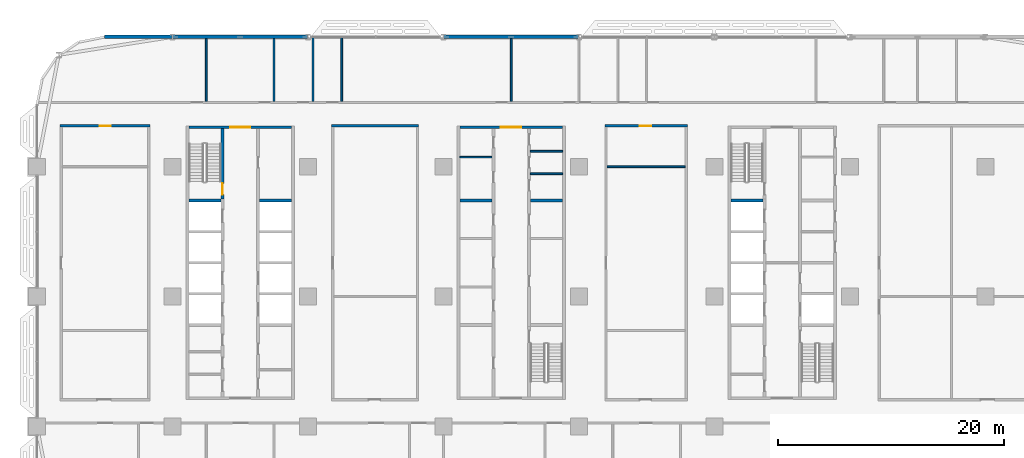
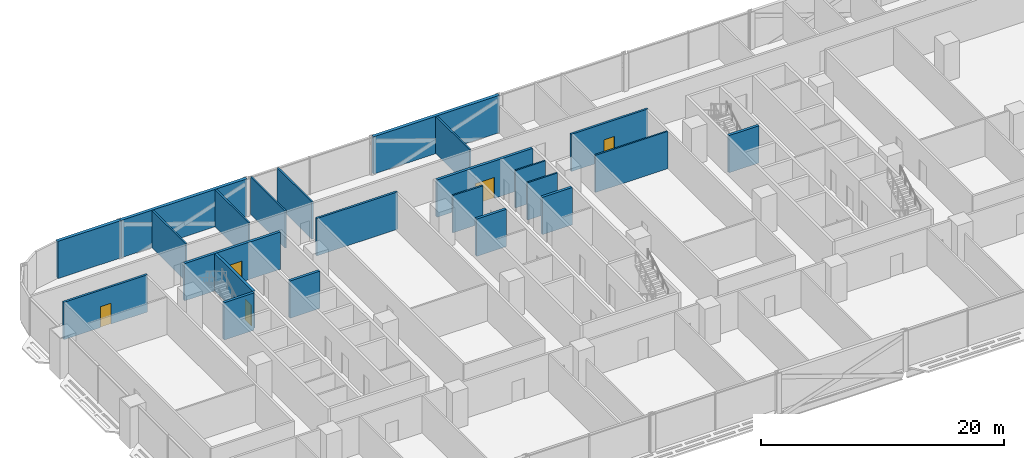
# One storey, part 14 of 29: 23 walls, 5 doors, 5 openings.
"""IFC4 building model written with IfcOpenShell, lengths in metres."""

import ifcopenshell
import ifcopenshell.guid

model = None  # the IFC model being written
_history = None  # IfcOwnerHistory: only IFC2X3 demands one
_inside = {}  # id of a spatial element -> (the spatial element, [elements in it])
_under = {}  # id of a project, library or spatial element -> (it, [spatial elements below it])
_declared = {}  # id of a project -> (the project, [libraries it declares])
_typed = {}  # id of a type object -> (the type object, [elements of that type])
_made_of = {}  # id of a material, layer set ... -> (it, [elements and type objects made of it])


def new_model(schema):
    """Start an empty IFC model of exactly this schema.

    Asked for "IFC4X3", IfcOpenShell would pick the latest addendum, in which some entities
    have other attributes; the version numbers below select the first issue.
    IFC2X3 requires an IfcOwnerHistory on every rooted entity: one is made here for all.
    """
    global model, _history
    if schema == "IFC4X3":
        model = ifcopenshell.file(schema_version=(4, 3, 0, 0))
    else:
        model = ifcopenshell.file(schema=schema)
    _inside.clear()
    _under.clear()
    _declared.clear()
    _typed.clear()
    _made_of.clear()
    _history = None
    if model.schema == "IFC2X3":
        org = make("IfcOrganization", Name="unknown")
        user = make(
            "IfcPersonAndOrganization",
            ThePerson=make("IfcPerson", FamilyName="unknown"),
            TheOrganization=org,
        )
        app = make(
            "IfcApplication",
            ApplicationDeveloper=org,
            Version="unknown",
            ApplicationFullName="unknown",
            ApplicationIdentifier="unknown",
        )
        _history = make(
            "IfcOwnerHistory",
            OwningUser=user,
            OwningApplication=app,
            ChangeAction="ADDED",
            CreationDate=0,
        )
    return model


def make(cls, **values):
    """One entity of the class cls with the attributes given. An attribute that is None is left unset."""
    return model.create_entity(
        cls, **{name: value for name, value in values.items() if value is not None}
    )


def rooted(cls, **values):
    """An entity with a GlobalId (a new one), such as an element, a storey or a relation."""
    return make(cls, GlobalId=ifcopenshell.guid.new(), OwnerHistory=_history, **values)


def si_unit(unit_type, name, prefix=None):
    """IfcSIUnit, for example si_unit("LENGTHUNIT", "METRE", prefix="MILLI")."""
    return make("IfcSIUnit", UnitType=unit_type, Prefix=prefix, Name=name)


def assignment(units):
    """IfcUnitAssignment: the units of a project."""
    return None if units is None else make("IfcUnitAssignment", Units=units)


def point(xyz):
    """IfcCartesianPoint."""
    return None if xyz is None else make("IfcCartesianPoint", Coordinates=xyz)


def direction(xyz):
    """IfcDirection."""
    return None if xyz is None else make("IfcDirection", DirectionRatios=xyz)


def frame(location, z_axis=None, x_axis=None):
    """IfcAxis2Placement3D, a coordinate frame: its origin and axes. An axis left out is left unset."""
    return make(
        "IfcAxis2Placement3D",
        Location=point(location),
        Axis=direction(z_axis),
        RefDirection=direction(x_axis),
    )


def frame_2d(location, x_axis=None):
    """IfcAxis2Placement2D, a coordinate frame in the plane: its origin and x axis."""
    return make(
        "IfcAxis2Placement2D", Location=point(location), RefDirection=direction(x_axis)
    )


def origin():
    """The frame at (0, 0, 0) with its axes left unset."""
    return frame((0.0, 0.0, 0.0))


def place(relative_to, where):
    """IfcLocalPlacement: puts the frame where relative to a parent placement (None: the world)."""
    return make(
        "IfcLocalPlacement", PlacementRelTo=relative_to, RelativePlacement=where
    )


def context(
    kind, dimensions, precision=None, world=None, true_north=None, identifier=None
):
    """IfcGeometricRepresentationContext, for example the 3D "Model" context."""
    return make(
        "IfcGeometricRepresentationContext",
        ContextIdentifier=identifier,
        ContextType=kind,
        CoordinateSpaceDimension=dimensions,
        Precision=precision,
        WorldCoordinateSystem=world,
        TrueNorth=true_north,
    )


def subcontext(parent, identifier, kind, view, scale=None):
    """IfcGeometricRepresentationSubContext, for example "Body" below "Model"."""
    return make(
        "IfcGeometricRepresentationSubContext",
        ContextIdentifier=identifier,
        ContextType=kind,
        ParentContext=parent,
        TargetScale=scale,
        TargetView=view,
    )


def project(units=None, contexts=None):
    """IfcProject with its units and contexts."""
    return rooted(
        "IfcProject",
        Name="project",
        RepresentationContexts=contexts,
        UnitsInContext=assignment(units),
    )


def spatial(cls, under=None, at=None, **own):
    """A site, building, storey or space (cls), placed at a placement, below another one or the project."""
    s = rooted(cls, ObjectPlacement=at, **own)
    if under is not None:
        _under.setdefault(under.id(), (under, []))[1].append(s)
    return s


def profile(cls, at=None, kind="AREA", **sizes):
    """A parametric profile (cls). Its sizes go by their IFC names, for example OverallWidth=200.0."""
    return make(cls, ProfileType=kind, Position=at, **sizes)


def rectangle(**sizes):
    """IfcRectangleProfileDef."""
    return profile("IfcRectangleProfileDef", **sizes)


def extrude(swept, where, along, depth):
    """IfcExtrudedAreaSolid: the profile swept, set in the frame where, extruded along a direction by depth."""
    return make(
        "IfcExtrudedAreaSolid",
        SweptArea=swept,
        Position=where,
        ExtrudedDirection=direction(along),
        Depth=depth,
    )


def shape(context_of_items, identifier, shape_type, items):
    """IfcShapeRepresentation: the items that make up one representation, for example the "Body"."""
    return make(
        "IfcShapeRepresentation",
        ContextOfItems=context_of_items,
        RepresentationIdentifier=identifier,
        RepresentationType=shape_type,
        Items=items,
    )


def material(Name=None, Category=None):
    """IfcMaterial."""
    return make("IfcMaterial", Name=Name, Category=Category)


def layer(
    of_material, thickness, ventilated=None, Name=None, Category=None, Priority=None
):
    """IfcMaterialLayer: one layer of a wall or slab, of a material (None: an air gap)."""
    return make(
        "IfcMaterialLayer",
        Material=of_material,
        LayerThickness=thickness,
        IsVentilated=ventilated,
        Name=Name,
        Category=Category,
        Priority=Priority,
    )


def layer_set(layers, Name=None):
    """IfcMaterialLayerSet."""
    return make("IfcMaterialLayerSet", MaterialLayers=layers, LayerSetName=Name)


def made_of(thing, what):
    """Note that an element or type object is made of a material, layer set ...; save() writes the relation."""
    if what is not None:
        _made_of.setdefault(what.id(), (what, []))[1].append(thing)
    return thing


def type_object(cls, material=None, **own):
    """A type object (cls), such as IfcWallType, which elements share."""
    return made_of(rooted(cls, **own), material)


def element(
    cls,
    number,
    at=None,
    inside=None,
    cuts=None,
    type_object=None,
    material=None,
    context=None,
    identifier="Body",
    shape_type=None,
    held_by="IfcProductDefinitionShape",
    body=None,
    shapes=None,
    **own,
):
    """One element of the class cls, such as IfcWall. Its Tag is "e" and its number.

    at: its placement. inside: the storey or other place that contains it. cuts: it is an
    opening in that element (IfcRelVoidsElement). A single representation is given by context,
    identifier, shape_type and body (its items); several are given by shapes. held_by: the class
    of the entity that holds the representations. save() writes the other relations.
    """
    e = rooted(cls, Tag="e%d" % number, ObjectPlacement=at, **own)
    if body is not None:
        shapes = [shape(context, identifier, shape_type, body)]
    if shapes is not None:
        e.Representation = make(held_by, Representations=shapes)
    if inside is not None:
        _inside.setdefault(inside.id(), (inside, []))[1].append(e)
    if cuts is not None:
        rooted(
            "IfcRelVoidsElement", RelatingBuildingElement=cuts, RelatedOpeningElement=e
        )
    if type_object is not None:
        _typed.setdefault(type_object.id(), (type_object, []))[1].append(e)
    return made_of(e, material)


def fill(opening, filler):
    """IfcRelFillsElement: the door or window that sits in an opening."""
    return rooted(
        "IfcRelFillsElement",
        RelatingOpeningElement=opening,
        RelatedBuildingElement=filler,
    )


def aggregate(whole, parts):
    """IfcRelAggregates: a whole, such as a stair, and the parts it consists of."""
    return rooted("IfcRelAggregates", RelatingObject=whole, RelatedObjects=parts)


def save(model, path):
    """Write the relations noted so far, then the file.

    IfcRelAggregates (storeys below a building ...), IfcRelContainedInSpatialStructure (elements
    in a storey), IfcRelDefinesByType, IfcRelAssociatesMaterial and IfcRelDeclares: one each for
    every whole, place, type object, material and project.
    """
    for whole, parts in _under.values():
        aggregate(whole, parts)
    for where, things in _inside.values():
        rooted(
            "IfcRelContainedInSpatialStructure",
            RelatedElements=things,
            RelatingStructure=where,
        )
    for kind, things in _typed.values():
        rooted("IfcRelDefinesByType", RelatedObjects=things, RelatingType=kind)
    for what, things in _made_of.values():
        rooted("IfcRelAssociatesMaterial", RelatedObjects=things, RelatingMaterial=what)
    for by, libraries in _declared.values():
        rooted("IfcRelDeclares", RelatingContext=by, RelatedDefinitions=libraries)
    model.write(path)


model = new_model("IFC4")

# Units and contexts
model_context = context("Model", 3, precision=1e-05, world=origin(), true_north=direction((0.0, 1.0)))
body_context = subcontext(model_context, "Body", "Model", "MODEL_VIEW")
ifc_project = project(units=[si_unit("LENGTHUNIT", "METRE"), si_unit("AREAUNIT", "SQUARE_METRE"), si_unit("VOLUMEUNIT", "CUBIC_METRE"), si_unit("PLANEANGLEUNIT", "RADIAN"), si_unit("MASSUNIT", "GRAM", prefix="KILO")], contexts=[model_context])

# Site, building, storey
site_placement = place(None, origin())
site = spatial("IfcSite", under=ifc_project, at=site_placement, CompositionType="ELEMENT")
building_placement = place(site_placement, origin())
building = spatial("IfcBuilding", under=site, at=building_placement, Name="Mahtab Terrace Research Tower", CompositionType="ELEMENT")
storey_placement = place(building_placement, frame((0.0, 0.0, 76.10009765625)))
storey = spatial("IfcBuildingStorey", under=building, at=storey_placement, Name="L17", CompositionType="ELEMENT", Elevation=76.10009765625)

# Walls
ifc_material_1 = material(Name="Gypsum board partition")
ifc_layer_1 = layer(ifc_material_1, 0.14990234375)
ifc_layer_set_1 = layer_set([ifc_layer_1], Name="Core partition 150")
wall_type_1 = type_object("IfcWallType", Name="Core partition 150", PredefinedType="PARTITIONING", material=ifc_layer_set_1)
for number, where, z_axis, x_axis, name in (
    (1, (-4.550048828125, 12.35498046875, 0.0), (0.0, 0.0, 1.0), (1.0, 0.0, 0.0), "Core wall B pWN936"),
    (2, (1.699951171875, 10.875, 0.0), (0.0, 0.0, 1.0), (1.0, 0.0, 0.0), "Core wall B pEN788"),
    (3, (1.699951171875, 12.875, 0.0), (0.0, 0.0, 1.0), (1.0, 0.0, 0.0), "Core wall B pEN988"),
):
    element("IfcWall", number, at=place(storey_placement, frame(where, z_axis=z_axis, x_axis=x_axis)), inside=storey, type_object=wall_type_1, Name=name, PredefinedType="PARTITIONING", context=body_context, shape_type="SweptSolid", body=[
        extrude(rectangle(XDim=2.85009765625, YDim=0.14990234375, at=frame_2d((1.425048828125, 0.0))), origin(), (0.0, 0.0, 1.0), 3.75),
    ])

# Wall, opening, door
ifc_material_2 = material(Name="Concrete C70/85", Category="concrete")
ifc_layer_2 = layer(ifc_material_2, 0.25)
ifc_layer_set_2 = layer_set([ifc_layer_2], Name="Core wall 250")
wall_type_2 = type_object("IfcWallType", Name="Core wall 250", PredefinedType="SOLIDWALL", material=ifc_layer_set_2)
wall_1_placement = place(storey_placement, frame((-28.550048828125, 15.0, 0.0), z_axis=(0.0, 0.0, 1.0), x_axis=(1.0, 0.0, 0.0)))
wall_1 = element("IfcWall", 4, at=wall_1_placement, inside=storey, type_object=wall_type_2, Name="Core wall A endN", PredefinedType="SOLIDWALL", context=body_context, shape_type="SweptSolid", body=[
    extrude(rectangle(XDim=9.10009765625, YDim=0.25, at=frame_2d((4.550048828125, 0.0))), origin(), (0.0, 0.0, 1.0), 3.75),
])
opening_1_placement = place(wall_1_placement, frame((3.64990234375, 0.0, 0.0)))
opening_1 = element("IfcOpeningElement", 5, at=opening_1_placement, cuts=wall_1, Name="Opening A-N1", PredefinedType="OPENING", context=body_context, shape_type="SweptSolid", body=[
    extrude(rectangle(XDim=1.800048828125, YDim=2.10009765625, at=frame_2d((0.89990234375, 1.050048828125))), frame((0.0, 0.135009765625, 0.0), z_axis=(0.0, -1.0, 0.0), x_axis=(1.0, 0.0, 0.0)), (0.0, 0.0, 1.0), 0.27001953125),
])
ifc_material_3 = material(Name="Steel fire door", Category="steel")
door_type_1 = type_object("IfcDoorType", Name="Lobby double door 1800x2100 1 HR", OperationType="DOUBLE_DOOR_SINGLE_SWING", PredefinedType="DOOR", material=ifc_material_3)
door_1_placement = place(opening_1_placement, origin())
door_1 = element("IfcDoor", 6, at=door_1_placement, inside=storey, type_object=door_type_1, Name="Core entrance door A N", OperationType="DOUBLE_DOOR_SINGLE_SWING", OverallHeight=2.10009765625, OverallWidth=1.800048828125, PredefinedType="DOOR", context=body_context, shape_type="SweptSolid", body=[
    extrude(rectangle(XDim=1.800048828125, YDim=2.10009765625, at=frame_2d((0.89990234375, 1.050048828125))), frame((0.0, 0.02490234375, 0.0), z_axis=(0.0, -1.0, 0.0), x_axis=(1.0, 0.0, 0.0)), (0.0, 0.0, 1.0), 0.050048828125),
])
fill(opening_1, door_1)

wall_2_placement = place(storey_placement, frame((-25.574951171875, 14.875, 0.0), z_axis=(0.0, 0.0, 1.0), x_axis=(0.0, -1.0, 0.0)))
wall_2 = element("IfcWall", 7, at=wall_2_placement, inside=storey, type_object=wall_type_2, Name="Core wall A innerWN", PredefinedType="SOLIDWALL", context=body_context, shape_type="SweptSolid", body=[
    extrude(rectangle(XDim=6.25, YDim=0.25, at=frame_2d((3.125, 0.0))), origin(), (0.0, 0.0, 1.0), 3.75),
])
opening_2_placement = place(wall_2_placement, frame((4.85009765625, 0.0, 0.0)))
opening_2 = element("IfcOpeningElement", 8, at=opening_2_placement, cuts=wall_2, Name="Opening A-ST1", PredefinedType="OPENING", context=body_context, shape_type="SweptSolid", body=[
    extrude(rectangle(XDim=1.0, YDim=2.10009765625, at=frame_2d((0.5, 1.050048828125))), frame((0.0, 0.135009765625, 0.0), z_axis=(0.0, -1.0, 0.0), x_axis=(1.0, 0.0, 0.0)), (0.0, 0.0, 1.0), 0.27001953125),
])
door_type_2 = type_object("IfcDoorType", Name="Stair door 1000x2100 1.5 HR", OperationType="NOTDEFINED", PredefinedType="DOOR", material=ifc_material_3)
door_2_placement = place(opening_2_placement, origin())
door_2 = element("IfcDoor", 9, at=door_2_placement, inside=storey, type_object=door_type_2, Name="Stair door ST1 L17", OperationType="SINGLE_SWING_LEFT", OverallHeight=2.10009765625, OverallWidth=1.0, PredefinedType="DOOR", context=body_context, shape_type="SweptSolid", body=[
    extrude(rectangle(XDim=1.0, YDim=2.10009765625, at=frame_2d((0.5, 1.050048828125))), frame((0.0, 0.02490234375, 0.0), z_axis=(0.0, -1.0, 0.0), x_axis=(1.0, 0.0, 0.0)), (0.0, 0.0, 1.0), 0.050048828125),
])
fill(opening_2, door_2)

# Walls
for number, where, z_axis, x_axis, name in (
    (10, (-28.550048828125, 8.5, 0.0), (0.0, 0.0, 1.0), (1.0, 0.0, 0.0), "Core wall A divW4"),
    (11, (-22.300048828125, 8.5, 0.0), (0.0, 0.0, 1.0), (1.0, 0.0, 0.0), "Core wall A divE4"),
):
    element("IfcWall", number, at=place(storey_placement, frame(where, z_axis=z_axis, x_axis=x_axis)), inside=storey, type_object=wall_type_2, Name=name, PredefinedType="SOLIDWALL", context=body_context, shape_type="SweptSolid", body=[
        extrude(rectangle(XDim=2.85009765625, YDim=0.25, at=frame_2d((1.425048828125, 0.0))), origin(), (0.0, 0.0, 1.0), 3.75),
    ])

# Wall, opening, door
wall_3_placement = place(storey_placement, frame((-4.550048828125, 15.0, 0.0), z_axis=(0.0, 0.0, 1.0), x_axis=(1.0, 0.0, 0.0)))
wall_3 = element("IfcWall", 12, at=wall_3_placement, inside=storey, type_object=wall_type_2, Name="Core wall B endN", PredefinedType="SOLIDWALL", context=body_context, shape_type="SweptSolid", body=[
    extrude(rectangle(XDim=9.10009765625, YDim=0.25, at=frame_2d((4.550048828125, 0.0))), origin(), (0.0, 0.0, 1.0), 3.75),
])
opening_3_placement = place(wall_3_placement, frame((3.64990234375, 0.0, 0.0)))
opening_3 = element("IfcOpeningElement", 13, at=opening_3_placement, cuts=wall_3, Name="Opening B-N1", PredefinedType="OPENING", context=body_context, shape_type="SweptSolid", body=[
    extrude(rectangle(XDim=1.800048828125, YDim=2.10009765625, at=frame_2d((0.89990234375, 1.050048828125))), frame((0.0, 0.135009765625, 0.0), z_axis=(0.0, -1.0, 0.0), x_axis=(1.0, 0.0, 0.0)), (0.0, 0.0, 1.0), 0.27001953125),
])
door_3_placement = place(opening_3_placement, origin())
door_3 = element("IfcDoor", 14, at=door_3_placement, inside=storey, type_object=door_type_1, Name="Core entrance door B N", OperationType="DOUBLE_DOOR_SINGLE_SWING", OverallHeight=2.10009765625, OverallWidth=1.800048828125, PredefinedType="DOOR", context=body_context, shape_type="SweptSolid", body=[
    extrude(rectangle(XDim=1.800048828125, YDim=2.10009765625, at=frame_2d((0.89990234375, 1.050048828125))), frame((0.0, 0.02490234375, 0.0), z_axis=(0.0, -1.0, 0.0), x_axis=(1.0, 0.0, 0.0)), (0.0, 0.0, 1.0), 0.050048828125),
])
fill(opening_3, door_3)

# Walls
for number, where, z_axis, x_axis, name in (
    (15, (-4.550048828125, 8.5, 0.0), (0.0, 0.0, 1.0), (1.0, 0.0, 0.0), "Core wall B divW4"),
    (16, (1.699951171875, 8.5, 0.0), (0.0, 0.0, 1.0), (1.0, 0.0, 0.0), "Core wall B divE4"),
    (17, (19.449951171875, 8.5, 0.0), (0.0, 0.0, 1.0), (1.0, 0.0, 0.0), "Core wall C divW4"),
):
    element("IfcWall", number, at=place(storey_placement, frame(where, z_axis=z_axis, x_axis=x_axis)), inside=storey, type_object=wall_type_2, Name=name, PredefinedType="SOLIDWALL", context=body_context, shape_type="SweptSolid", body=[
        extrude(rectangle(XDim=2.85009765625, YDim=0.25, at=frame_2d((1.425048828125, 0.0))), origin(), (0.0, 0.0, 1.0), 3.75),
    ])
ifc_material_4 = material(Name="Black aluminium cladding panel", Category="aluminium")
ifc_layer_3 = layer(ifc_material_4, 0.300048828125)
ifc_layer_set_3 = layer_set([ifc_layer_3], Name="Opaque facade wall 300")
wall_type_3 = type_object("IfcWallType", Name="Opaque facade wall 300", PredefinedType="NOTDEFINED", material=ifc_layer_set_3)
for number, where, z_axis, x_axis, name in (
    (18, (5.97607421875, 23.0, 0.0), (0.0, 0.0, 1.0), (-1.0, 0.0, 0.0), "Opaque facade wall L17 N7"),
    (19, (-18.02392578125, 23.0, 0.0), (0.0, 0.0, 1.0), (-1.0, 0.0, 0.0), "Opaque facade wall L17 N9"),
):
    element("IfcWall", number, at=place(storey_placement, frame(where, z_axis=z_axis, x_axis=x_axis)), inside=storey, type_object=wall_type_3, Name=name, PredefinedType="NOTDEFINED", context=body_context, shape_type="SweptSolid", body=[
        extrude(rectangle(XDim=11.9521484375, YDim=0.300048828125, at=frame_2d((5.97607421875, 0.0))), origin(), (0.0, 0.0, 1.0), 3.75),
    ])
wall_4_placement = place(storey_placement, frame((-30.02392578125, 23.0, 0.0), z_axis=(0.0, 0.0, 1.0), x_axis=(-1.0, 0.0, 0.0)))
element("IfcWall", 20, at=wall_4_placement, inside=storey, type_object=wall_type_3, Name="Opaque facade wall L17 N10", PredefinedType="NOTDEFINED", context=body_context, shape_type="SweptSolid", body=[
    extrude(rectangle(XDim=5.97607421875, YDim=0.300048828125, at=frame_2d((2.988037109375, 0.0))), origin(), (0.0, 0.0, 1.0), 3.75),
])

# Wall, opening, door
ifc_material_5 = material(Name="Gypsum board corridor wall on steel studs", Category="steel")
ifc_layer_4 = layer(ifc_material_5, 0.199951171875)
ifc_layer_set_4 = layer_set([ifc_layer_4], Name="WALL CORRIDOR 200")
wall_type_4 = type_object("IfcWallType", Name="WALL CORRIDOR 200", PredefinedType="PARTITIONING", material=ifc_layer_set_4)
wall_5_placement = place(storey_placement, frame((-39.949951171875, 15.125, 0.0), z_axis=(0.0, 0.0, 1.0), x_axis=(1.0, 0.0, 0.0)))
wall_5 = element("IfcWall", 21, at=wall_5_placement, inside=storey, type_object=wall_type_4, Name="L17-W020", PredefinedType="PARTITIONING", context=body_context, shape_type="SweptSolid", body=[
    extrude(rectangle(XDim=7.949951171875, YDim=0.199951171875, at=frame_2d((3.97509765625, 0.0))), origin(), (0.0, 0.0, 1.0), 3.75),
])
opening_4_placement = place(wall_5_placement, frame((3.5, 0.0, 0.0)))
opening_4 = element("IfcOpeningElement", 22, at=opening_4_placement, cuts=wall_5, Name="Opening L17-124", PredefinedType="OPENING", context=body_context, shape_type="SweptSolid", body=[
    extrude(rectangle(XDim=1.0, YDim=2.10009765625, at=frame_2d((0.5, 1.050048828125))), frame((0.0, 0.10986328125, 0.0), z_axis=(0.0, -1.0, 0.0), x_axis=(1.0, 0.0, 0.0)), (0.0, 0.0, 1.0), 0.219970703125),
])
ifc_material_6 = material(Name="Timber door leaf in steel frame", Category="steel")
door_type_3 = type_object("IfcDoorType", Name="DOOR 1000X2100 FD30S", OperationType="SINGLE_SWING_LEFT", PredefinedType="DOOR", material=ifc_material_6)
door_4_placement = place(opening_4_placement, origin())
door_4 = element("IfcDoor", 23, at=door_4_placement, inside=storey, type_object=door_type_3, Name="Door L17-124", OperationType="SINGLE_SWING_LEFT", OverallHeight=2.10009765625, OverallWidth=1.0, PredefinedType="DOOR", context=body_context, shape_type="SweptSolid", body=[
    extrude(rectangle(XDim=1.0, YDim=2.10009765625, at=frame_2d((0.5, 1.050048828125))), frame((0.0, 0.02490234375, 0.0), z_axis=(0.0, -1.0, 0.0), x_axis=(1.0, 0.0, 0.0)), (0.0, 0.0, 1.0), 0.050048828125),
])
fill(opening_4, door_4)

# Wall
wall_6_placement = place(storey_placement, frame((-15.89990234375, 15.125, 0.0), z_axis=(0.0, 0.0, 1.0), x_axis=(1.0, 0.0, 0.0)))
element("IfcWall", 24, at=wall_6_placement, inside=storey, type_object=wall_type_4, Name="L17-W021", PredefinedType="PARTITIONING", context=body_context, shape_type="SweptSolid", body=[
    extrude(rectangle(XDim=7.699951171875, YDim=0.199951171875, at=frame_2d((3.85009765625, 0.0))), origin(), (0.0, 0.0, 1.0), 3.75),
])

# Wall, opening, door
wall_7_placement = place(storey_placement, frame((8.300048828125, 15.125, 0.0), z_axis=(0.0, 0.0, 1.0), x_axis=(1.0, 0.0, 0.0)))
wall_7 = element("IfcWall", 25, at=wall_7_placement, inside=storey, type_object=wall_type_4, Name="L17-W022", PredefinedType="PARTITIONING", context=body_context, shape_type="SweptSolid", body=[
    extrude(rectangle(XDim=7.300048828125, YDim=0.199951171875, at=frame_2d((3.64990234375, 0.0))), origin(), (0.0, 0.0, 1.0), 3.75),
])
opening_5_placement = place(wall_7_placement, frame((3.10009765625, 0.0, 0.0)))
opening_5 = element("IfcOpeningElement", 26, at=opening_5_placement, cuts=wall_7, Name="Opening L17-125", PredefinedType="OPENING", context=body_context, shape_type="SweptSolid", body=[
    extrude(rectangle(XDim=1.0, YDim=2.10009765625, at=frame_2d((0.5, 1.050048828125))), frame((0.0, 0.10986328125, 0.0), z_axis=(0.0, -1.0, 0.0), x_axis=(1.0, 0.0, 0.0)), (0.0, 0.0, 1.0), 0.219970703125),
])
door_5_placement = place(opening_5_placement, origin())
door_5 = element("IfcDoor", 27, at=door_5_placement, inside=storey, type_object=door_type_3, Name="Door L17-125", OperationType="SINGLE_SWING_RIGHT", OverallHeight=2.10009765625, OverallWidth=1.0, PredefinedType="DOOR", context=body_context, shape_type="SweptSolid", body=[
    extrude(rectangle(XDim=1.0, YDim=2.10009765625, at=frame_2d((0.5, 1.050048828125))), frame((0.0, 0.02490234375, 0.0), z_axis=(0.0, -1.0, 0.0), x_axis=(1.0, 0.0, 0.0)), (0.0, 0.0, 1.0), 0.050048828125),
])
fill(opening_5, door_5)

# Walls
ifc_material_7 = material(Name="Gypsum board partition on steel studs", Category="steel")
ifc_layer_5 = layer(ifc_material_7, 0.14990234375)
ifc_layer_set_5 = layer_set([ifc_layer_5], Name="WALL PARTITION 150")
wall_type_5 = type_object("IfcWallType", Name="WALL PARTITION 150", PredefinedType="PARTITIONING", material=ifc_layer_set_5)
wall_8_placement = place(storey_placement, frame((8.5, 11.5, 0.0), z_axis=(0.0, 0.0, 1.0), x_axis=(1.0, 0.0, 0.0)))
element("IfcWall", 28, at=wall_8_placement, inside=storey, type_object=wall_type_5, Name="L17-W019", PredefinedType="PARTITIONING", context=body_context, shape_type="SweptSolid", body=[
    extrude(rectangle(XDim=6.89990234375, YDim=0.14990234375, at=frame_2d((3.449951171875, 0.0))), origin(), (0.0, 0.0, 1.0), 3.75),
])
for number, where, z_axis, x_axis, name in (
    (29, (-27.0, 17.300048828125, 0.0), (0.0, 0.0, 1.0), (0.0, 1.0, 0.0), "L17-W029"),
    (30, (-21.0, 17.300048828125, 0.0), (0.0, 0.0, 1.0), (0.0, 1.0, 0.0), "L17-W031"),
):
    element("IfcWall", number, at=place(storey_placement, frame(where, z_axis=z_axis, x_axis=x_axis)), inside=storey, type_object=wall_type_5, Name=name, PredefinedType="PARTITIONING", context=body_context, shape_type="SweptSolid", body=[
        extrude(rectangle(XDim=5.550048828125, YDim=0.14990234375, at=frame_2d((2.77490234375, 0.0))), origin(), (0.0, 0.0, 1.0), 3.75),
    ])
for number, where, z_axis, x_axis, name in (
    (31, (-17.550048828125, 17.300048828125, 0.0), (0.0, 0.0, 1.0), (0.0, 1.0, 0.0), "L17-W032"),
    (32, (-15.0, 17.300048828125, 0.0), (0.0, 0.0, 1.0), (0.0, 1.0, 0.0), "L17-W034"),
):
    element("IfcWall", number, at=place(storey_placement, frame(where, z_axis=z_axis, x_axis=x_axis)), inside=storey, type_object=wall_type_5, Name=name, PredefinedType="PARTITIONING", context=body_context, shape_type="SweptSolid", body=[
        extrude(rectangle(XDim=5.675048828125, YDim=0.14990234375, at=frame_2d((2.83740234375, 0.0))), origin(), (0.0, 0.0, 1.0), 3.75),
    ])
wall_9_placement = place(storey_placement, frame((0.0, 17.300048828125, 0.0), z_axis=(0.0, 0.0, 1.0), x_axis=(0.0, 1.0, 0.0)))
element("IfcWall", 33, at=wall_9_placement, inside=storey, type_object=wall_type_5, Name="L17-W038", PredefinedType="PARTITIONING", context=body_context, shape_type="SweptSolid", body=[
    extrude(rectangle(XDim=5.550048828125, YDim=0.14990234375, at=frame_2d((2.77490234375, 0.0))), origin(), (0.0, 0.0, 1.0), 3.75),
])

save(model, "model.ifc")
